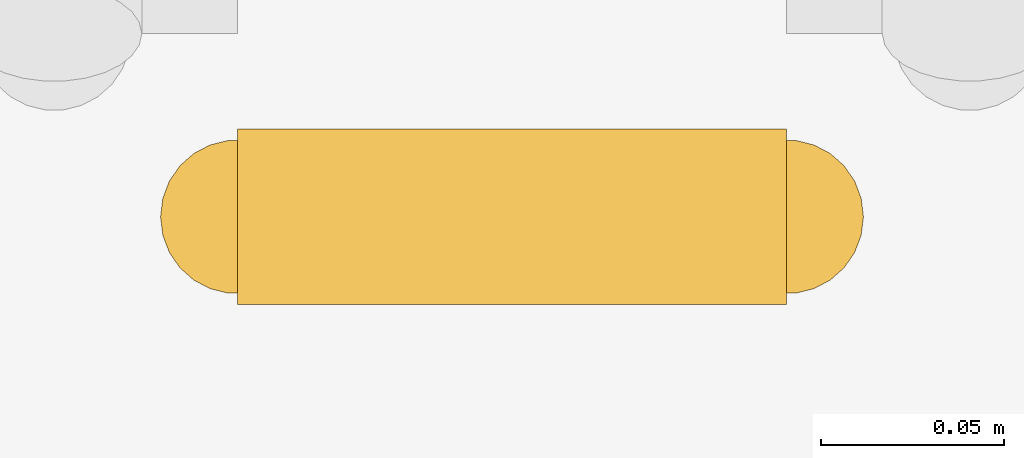
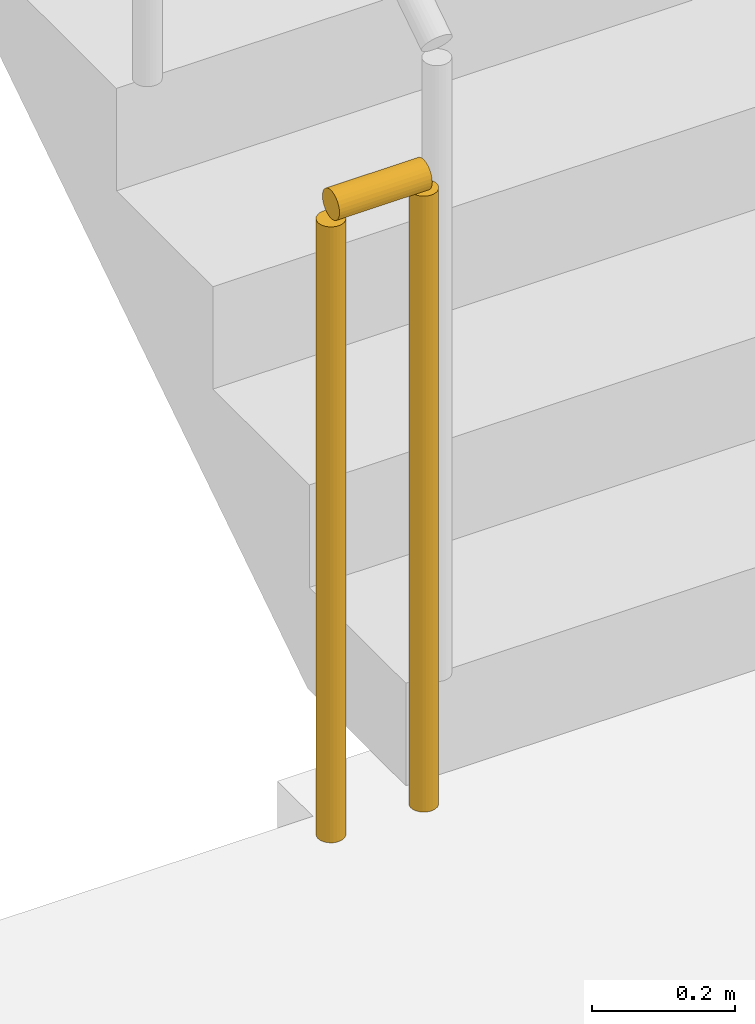
# One storey, part 19 of 22: 1 railing.
"""IFC4 building model written with IfcOpenShell, lengths in metres."""

from ifc_helpers import new_model, si_unit, direction, frame, origin, origin_2d, place, context, subcontext, project, spatial, circle, extrude, material, type_object, element, save


model = new_model("IFC4")

# Units and contexts
model_context = context("Model", 3, precision=1e-05, world=origin(), true_north=direction((0.0, 1.0)))
body_context = subcontext(model_context, "Body", "Model", "MODEL_VIEW")
ifc_project = project(units=[si_unit("LENGTHUNIT", "METRE"), si_unit("AREAUNIT", "SQUARE_METRE"), si_unit("VOLUMEUNIT", "CUBIC_METRE"), si_unit("PLANEANGLEUNIT", "RADIAN"), si_unit("MASSUNIT", "GRAM", prefix="KILO")], contexts=[model_context])

# Site, building, storey
site_placement = place(None, origin())
site = spatial("IfcSite", under=ifc_project, at=site_placement, CompositionType="ELEMENT")
building_placement = place(site_placement, origin())
building = spatial("IfcBuilding", under=site, at=building_placement, Name="Saffron Iwan Residences", CompositionType="ELEMENT")
storey_placement = place(building_placement, frame((0.0, 0.0, 271.0)))
storey = spatial("IfcBuildingStorey", under=building, at=storey_placement, Name="L73", CompositionType="ELEMENT", Elevation=271.0)

# Railing
ifc_material = material(Name="Steel S355", Category="steel")
railing_type = type_object("IfcRailingType", Name="Stair guard 1100", PredefinedType="GUARDRAIL", material=ifc_material)
railing_placement = place(storey_placement, frame((69.699951171875, 67.800048828125, 0.0)))
element("IfcRailing", 1, at=railing_placement, inside=storey, type_object=railing_type, Name="L73 ST-E stair guard 2", PredefinedType="GUARDRAIL", context=body_context, shape_type="SweptSolid", body=[
    extrude(circle(Radius=0.02392578125, at=origin_2d()), frame((0.0, 0.0, 1.076171875), z_axis=(-1.0, 0.0, 0.0), x_axis=(0.0, -1.0, 0.0)), (0.0, 0.0, 1.0), 0.14990234375),
    extrude(circle(Radius=0.02099609375, at=origin_2d()), origin(), (0.0, 0.0, 1.0), 1.052001953125),
    extrude(circle(Radius=0.02099609375, at=origin_2d()), frame((-0.14990234375, 0.0, 0.0)), (0.0, 0.0, 1.0), 1.052001953125),
])

save(model, "model.ifc")
